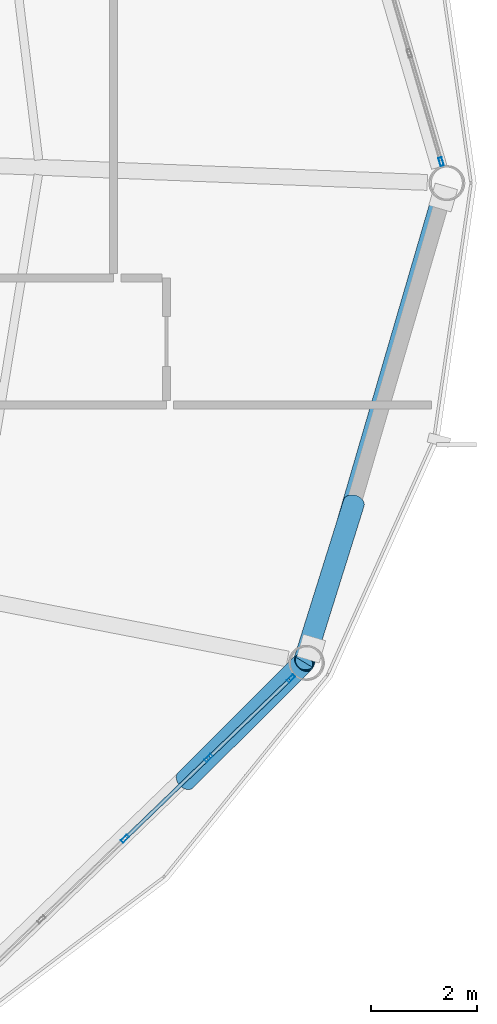
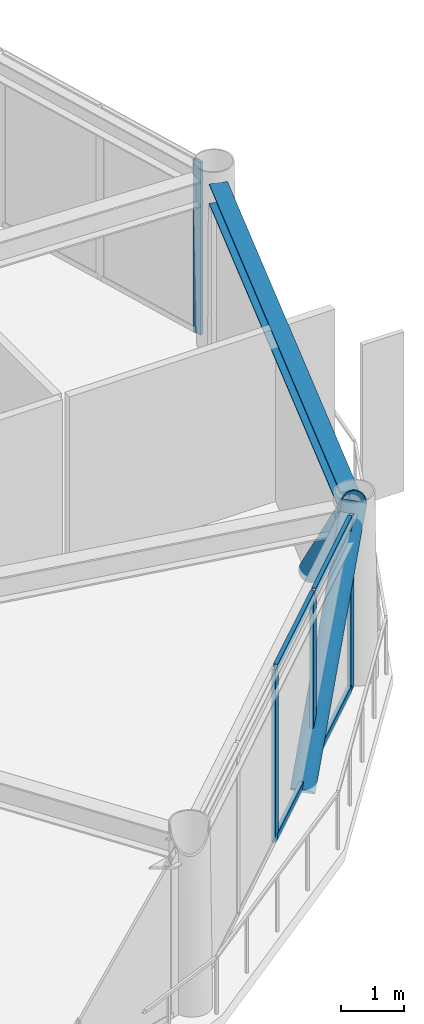
# One storey, part 15 of 26: 10 members, 1 beam, 2 elements without a shape of their own.
"""IFC4 building model written with IfcOpenShell, lengths in metres."""

from ifc_helpers import new_model, si_unit, direction, frame, origin, origin_2d, place, context, subcontext, project, spatial, hollow_rectangle, hollow_circle, i_section, extrude, material, layer, layer_set, material_profile, profile_set, type_object, element, aggregate, save


model = new_model("IFC4")

# Units and contexts
model_context = context("Model", 3, precision=1e-05, world=origin(), true_north=direction((0.0, 1.0)))
body_context = subcontext(model_context, "Body", "Model", "MODEL_VIEW")
ifc_project = project(units=[si_unit("LENGTHUNIT", "METRE"), si_unit("AREAUNIT", "SQUARE_METRE"), si_unit("VOLUMEUNIT", "CUBIC_METRE"), si_unit("PLANEANGLEUNIT", "RADIAN"), si_unit("MASSUNIT", "GRAM", prefix="KILO")], contexts=[model_context])

# Site, building, storey
site_placement = place(None, origin())
site = spatial("IfcSite", under=ifc_project, at=site_placement, CompositionType="ELEMENT")
building_placement = place(site_placement, origin())
building = spatial("IfcBuilding", under=site, at=building_placement, Name="Varnakorn Sky Granary", CompositionType="ELEMENT")
storey_placement = place(building_placement, frame((0.0, 0.0, 222.0)))
storey = spatial("IfcBuildingStorey", under=building, at=storey_placement, Name="L56", CompositionType="ELEMENT", Elevation=222.0)

# Beam
ifc_material_1 = material(Name="Steel S355JR", Category="steel")
ifc_material_profile_1 = material_profile(ifc_material_1, i_section(OverallWidth=0.300048828125, OverallDepth=0.39990234375, WebThickness=0.013427734375, FlangeThickness=0.02392578125, at=origin_2d()), Name="HE 400 B")
ifc_profile_set_1 = profile_set([ifc_material_profile_1], Name="Steel S355JR")
beam_type = type_object("IfcBeamType", Name="BM-SPD-Z4", PredefinedType="SPANDREL", material=ifc_profile_set_1)
beam_placement = place(storey_placement, frame((21.19091796875, -8.76806640625, 3.159912109375), z_axis=(0.280394349961, 0.959884893365, 0.0), x_axis=(-0.959884893365, 0.280394349961, 0.0)))
element("IfcBeam", 1, at=beam_placement, inside=storey, type_object=beam_type, Name="Perimeter Spandrel Ring Beam RB12 L56", PredefinedType="SPANDREL", context=body_context, shape_type="SweptSolid", body=[
    extrude(i_section(OverallWidth=0.300048828125, OverallDepth=0.39990234375, WebThickness=0.013427734375, FlangeThickness=0.02392578125, at=origin_2d()), origin(), (0.0, 0.0, 1.0), 8.8193359375),
])

# Curtain wall, member
ifc_material_2 = material(Name="Anodised Bronze Aluminium Alloy 6063-T6", Category="aluminium")
ifc_layer = layer(ifc_material_2, 0.169921875, Name="Anodised Bronze Aluminium Alloy 6063-T6")
ifc_layer_set = layer_set([ifc_layer], Name="Anodised Bronze Aluminium Alloy 6063-T6")
curtain_wall_type = type_object("IfcCurtainWallType", Name="CW-LAB-1", PredefinedType="USERDEFINED", material=ifc_layer_set)
curtain_wall_1_placement = place(storey_placement, origin())
curtain_wall_1 = element("IfcCurtainWall", 2, at=curtain_wall_1_placement, inside=storey, type_object=curtain_wall_type, Name="Unitised Curtain Wall CW5 CW-L56-B01", ObjectType="CURTAIN WALL", PredefinedType="USERDEFINED")
ifc_material_profile_2 = material_profile(ifc_material_2, hollow_rectangle(XDim=0.06494140625, YDim=0.159912109375, WallThickness=0.00341796875, at=origin_2d()), Name="ALU MULL 65x160")
ifc_profile_set_2 = profile_set([ifc_material_profile_2], Name="Anodised Bronze Aluminium Alloy 6063-T6")
member_type_1 = type_object("IfcMemberType", Name="CW-LAB-1-MULL", PredefinedType="MULLION", material=ifc_profile_set_2)
member_1_placement = place(storey_placement, frame((23.700439453125, 0.405517578125, 0.0), z_axis=(0.0, 0.0, 1.0), x_axis=(0.959779398669, 0.280755241964, 0.0)))
member_1 = element("IfcMember", 3, at=member_1_placement, type_object=member_type_1, Name="CW5 mullion 5", PredefinedType="MULLION", context=body_context, shape_type="SweptSolid", body=[
    extrude(hollow_rectangle(XDim=0.06494140625, YDim=0.159912109375, WallThickness=0.00341796875, at=origin_2d()), origin(), (0.0, 0.0, 1.0), 3.360107421875),
])
aggregate(curtain_wall_1, [member_1])

# Curtain wall, members
curtain_wall_2_placement = place(storey_placement, origin())
curtain_wall_2 = element("IfcCurtainWall", 4, at=curtain_wall_2_placement, inside=storey, type_object=curtain_wall_type, Name="Unitised Curtain Wall CW5 CW-L56-B11", ObjectType="CURTAIN WALL", PredefinedType="USERDEFINED")
member_2_placement = place(storey_placement, frame((20.856689453125, -9.380859375, 0.0), z_axis=(0.0, 0.0, 1.0), x_axis=(0.694404067281, -0.719585291222, 0.0)))
member_2 = element("IfcMember", 5, at=member_2_placement, type_object=member_type_1, Name="CW5 mullion 1", PredefinedType="MULLION", context=body_context, shape_type="SweptSolid", body=[
    extrude(hollow_rectangle(XDim=0.06494140625, YDim=0.159912109375, WallThickness=0.00341796875, at=origin_2d()), origin(), (0.0, 0.0, 1.0), 3.360107421875),
])
member_3_placement = place(storey_placement, frame((19.296875, -10.885986328125, 0.0), z_axis=(0.0, 0.0, 1.0), x_axis=(0.694404067281, -0.719585291222, 0.0)))
member_3 = element("IfcMember", 6, at=member_3_placement, type_object=member_type_1, Name="CW5 mullion 2", PredefinedType="MULLION", context=body_context, shape_type="SweptSolid", body=[
    extrude(hollow_rectangle(XDim=0.06494140625, YDim=0.159912109375, WallThickness=0.00341796875, at=origin_2d()), origin(), (0.0, 0.0, 1.0), 3.360107421875),
])
member_4_placement = place(storey_placement, frame((17.7138671875, -12.413818359375, 0.0), z_axis=(0.0, 0.0, 1.0), x_axis=(0.694404067281, -0.719585291222, 0.0)))
member_4 = element("IfcMember", 7, at=member_4_placement, type_object=member_type_1, Name="CW5 mullion 3", PredefinedType="MULLION", context=body_context, shape_type="SweptSolid", body=[
    extrude(hollow_rectangle(XDim=0.06494140625, YDim=0.159912109375, WallThickness=0.00341796875, at=origin_2d()), origin(), (0.0, 0.0, 1.0), 3.360107421875),
])
ifc_material_profile_3 = material_profile(ifc_material_2, hollow_rectangle(XDim=0.070068359375, YDim=0.139892578125, WallThickness=0.00341796875, at=origin_2d()), Name="ALU TRAN 70x140")
ifc_profile_set_3 = profile_set([ifc_material_profile_3], Name="Anodised Bronze Aluminium Alloy 6063-T6")
member_type_2 = type_object("IfcMemberType", Name="CW-LAB-1-TRAN", PredefinedType="USERDEFINED", material=ifc_profile_set_3)
member_5_placement = place(storey_placement, frame((20.833251953125, -9.4033203125, 0.034912109375), z_axis=(-0.71953549209, -0.69445566858, 0.0), x_axis=(0.69445566858, -0.71953549209, 0.0)))
member_5 = element("IfcMember", 8, at=member_5_placement, type_object=member_type_2, Name="CW5 transom 1.1", ObjectType="TRANSOM", PredefinedType="USERDEFINED", context=body_context, shape_type="SweptSolid", body=[
    extrude(hollow_rectangle(XDim=0.070068359375, YDim=0.139892578125, WallThickness=0.00341796875, at=origin_2d()), origin(), (0.0, 0.0, 1.0), 2.102783203125),
])
member_6_placement = place(storey_placement, frame((20.833251953125, -9.4033203125, 3.324951171875), z_axis=(-0.71953549209, -0.69445566858, 0.0), x_axis=(0.69445566858, -0.71953549209, 0.0)))
member_6 = element("IfcMember", 9, at=member_6_placement, type_object=member_type_2, Name="CW5 transom 1.2", ObjectType="TRANSOM", PredefinedType="USERDEFINED", context=body_context, shape_type="SweptSolid", body=[
    extrude(hollow_rectangle(XDim=0.070068359375, YDim=0.139892578125, WallThickness=0.00341796875, at=origin_2d()), origin(), (0.0, 0.0, 1.0), 2.102783203125),
])
member_7_placement = place(storey_placement, frame((19.273681640625, -10.90869140625, 0.034912109375), z_axis=(-0.719629989009, -0.694357745632, 0.0), x_axis=(0.694357745632, -0.719629989009, 0.0)))
member_7 = element("IfcMember", 10, at=member_7_placement, type_object=member_type_2, Name="CW5 transom 2.1", ObjectType="TRANSOM", PredefinedType="USERDEFINED", context=body_context, shape_type="SweptSolid", body=[
    extrude(hollow_rectangle(XDim=0.070068359375, YDim=0.139892578125, WallThickness=0.00341796875, at=origin_2d()), origin(), (0.0, 0.0, 1.0), 2.135009765625),
])
member_8_placement = place(storey_placement, frame((19.273681640625, -10.90869140625, 3.324951171875), z_axis=(-0.719629989009, -0.694357745632, 0.0), x_axis=(0.694357745632, -0.719629989009, 0.0)))
member_8 = element("IfcMember", 11, at=member_8_placement, type_object=member_type_2, Name="CW5 transom 2.2", ObjectType="TRANSOM", PredefinedType="USERDEFINED", context=body_context, shape_type="SweptSolid", body=[
    extrude(hollow_rectangle(XDim=0.070068359375, YDim=0.139892578125, WallThickness=0.00341796875, at=origin_2d()), origin(), (0.0, 0.0, 1.0), 2.135009765625),
])
aggregate(curtain_wall_2, [member_2, member_3, member_4, member_5, member_6, member_7, member_8])

# Members
ifc_material_3 = material(Name="Steel S460M", Category="steel")
ifc_material_profile_4 = material_profile(ifc_material_3, hollow_circle(Radius=0.203125, WallThickness=0.01611328125, at=origin_2d()), Name="CHS 406.4x16")
ifc_profile_set_4 = profile_set([ifc_material_profile_4], Name="Steel S460M")
member_type_3 = type_object("IfcMemberType", Name="MB-DIAG-T4", PredefinedType="BRACE", material=ifc_profile_set_4)
member_9_placement = place(storey_placement, frame((18.86279296875, -11.304931640625, -0.1298828125), z_axis=(0.475518350009, 0.474326314908, 0.740875728979), x_axis=(-0.706218820893, 0.707993627808, 0.0)))
element("IfcMember", 12, at=member_9_placement, inside=storey, type_object=member_type_3, Name="Perimeter CHS Diagrid Brace DG11 L56", PredefinedType="BRACE", context=body_context, shape_type="SweptSolid", body=[
    extrude(hollow_circle(Radius=0.203125, WallThickness=0.01611328125, at=origin_2d()), origin(), (0.0, 0.0, 1.0), 4.710693359375),
])
member_10_placement = place(storey_placement, frame((22.046875, -6.058349609375, -0.1298828125), z_axis=(-0.200622208187, -0.640102613035, 0.741632910791), x_axis=(0.954229178866, -0.29907636851, 0.0)))
element("IfcMember", 13, at=member_10_placement, inside=storey, type_object=member_type_3, Name="Perimeter CHS Diagrid Brace DG12 L56", PredefinedType="BRACE", context=body_context, shape_type="SweptSolid", body=[
    extrude(hollow_circle(Radius=0.203125, WallThickness=0.01611328125, at=origin_2d()), origin(), (0.0, 0.0, 1.0), 4.705810546875),
])

save(model, "model.ifc")
